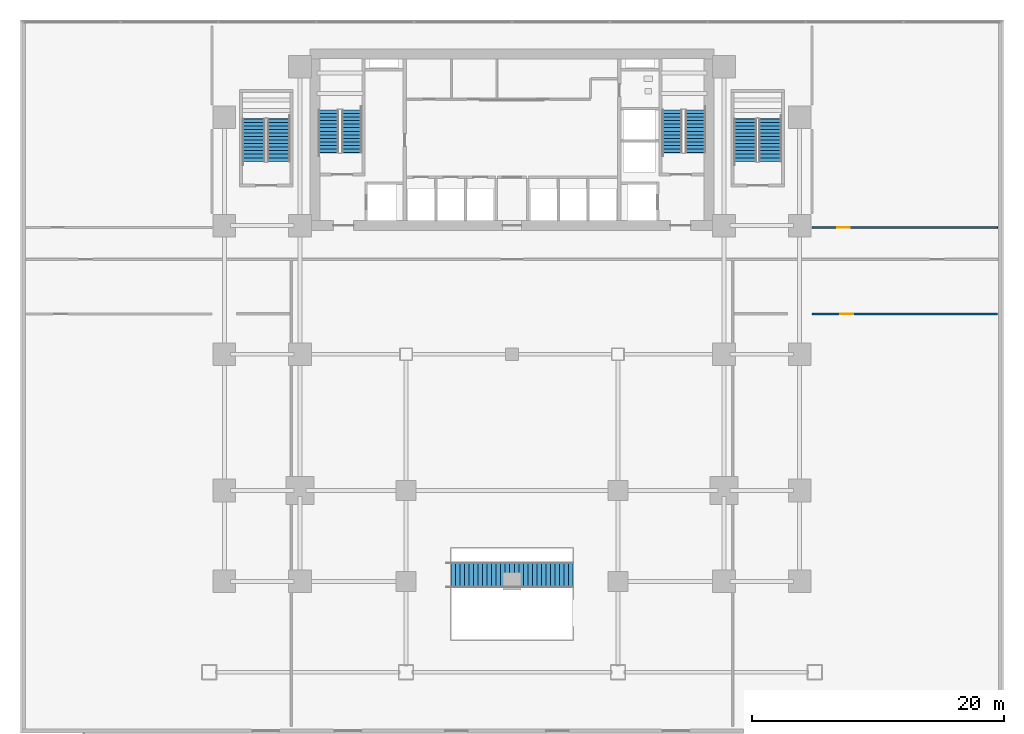
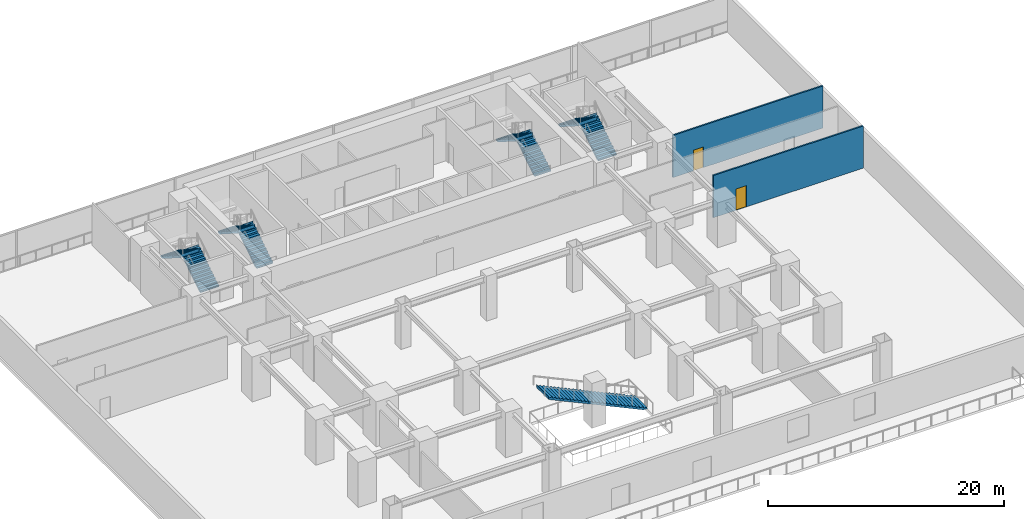
# One storey, part 11 of 17: 9 stair flights, 2 doors, 2 walls, 2 openings, 5 elements without a shape of their own.
"""IFC4 building model written with IfcOpenShell, lengths in metres."""

from ifc_helpers import new_model, si_unit, direction, frame, frame_2d, origin, place, context, subcontext, project, spatial, polyline, rectangle, outline, extrude, source, transform, mapped, material, layer, layer_set, type_object, element, fill, aggregate, save


model = new_model("IFC4")

# Units and contexts
model_context = context("Model", 3, precision=1e-05, world=origin(), true_north=direction((0.0, 1.0)))
body_context = subcontext(model_context, "Body", "Model", "MODEL_VIEW")
ifc_project = project(units=[si_unit("LENGTHUNIT", "METRE"), si_unit("AREAUNIT", "SQUARE_METRE"), si_unit("VOLUMEUNIT", "CUBIC_METRE"), si_unit("PLANEANGLEUNIT", "RADIAN"), si_unit("MASSUNIT", "GRAM", prefix="KILO")], contexts=[model_context])

# Site, building, storey
site_placement = place(None, origin())
site = spatial("IfcSite", under=ifc_project, at=site_placement, CompositionType="ELEMENT")
building_placement = place(site_placement, origin())
building = spatial("IfcBuilding", under=site, at=building_placement, Name="Sumidabori Civic Tower", CompositionType="ELEMENT")
storey_placement = place(building_placement, frame((0.0, 0.0, 5.0)))
storey = spatial("IfcBuildingStorey", under=building, at=storey_placement, Name="L01", CompositionType="ELEMENT", Elevation=5.0)

# Wall, opening, door
ifc_material_1 = material(Name="Gypsum Plasterboard Acoustic Partition")
ifc_layer = layer(ifc_material_1, 0.14990234375, Name="Gypsum Plasterboard Acoustic Partition")
ifc_layer_set = layer_set([ifc_layer], Name="Gypsum Plasterboard Acoustic Partition")
wall_type = type_object("IfcWallType", Name="WL-PART-150", PredefinedType="PARTITIONING", material=ifc_layer_set)
shared_shape_1 = source(origin(), body_context, "Body", "SweptSolid", [
    extrude(rectangle(XDim=14.699951171875, YDim=0.14990234375, at=frame_2d((7.35009765625, 0.0))), origin(), (0.0, 0.0, 1.0), 4.3701171875),
])
wall_1_placement = place(storey_placement, frame((23.800048828125, 10.050048828125, 0.0), z_axis=(0.0, 0.0, 1.0), x_axis=(1.0, 0.0, 0.0)))
wall_1 = element("IfcWall", 1, at=wall_1_placement, inside=storey, type_object=wall_type, Name="Interior Partition WL:L01:CORR-NE", PredefinedType="PARTITIONING", context=body_context, shape_type="MappedRepresentation", body=[
    mapped(shared_shape_1, transform((0.0, 0.0, 0.0), x_axis=(1.0, 0.0, 0.0), y_axis=(0.0, 1.0, 0.0), z_axis=(0.0, 0.0, 1.0), scale=1.0)),
])
opening_1_placement = place(wall_1_placement, frame((2.0, 0.0, 0.0)))
opening_1 = element("IfcOpeningElement", 2, at=opening_1_placement, cuts=wall_1, Name="Opening DR-3", PredefinedType="OPENING", context=body_context, shape_type="SweptSolid", body=[
    extrude(rectangle(XDim=0.97998046875, YDim=2.14990234375, at=frame_2d((0.489990234375, 1.074951171875))), frame((0.0, 0.0869140625, 0.0), z_axis=(0.0, -1.0, 0.0), x_axis=(1.0, 0.0, 0.0)), (0.0, 0.0, 1.0), 0.173828125),
])
ifc_material_2 = material(Name="Japanese Hinoki Timber", Category="wood")
door_type_1 = type_object("IfcDoorType", Name="DR-INT-980", OperationType="NOTDEFINED", PredefinedType="DOOR", material=ifc_material_2)
shared_shape_2 = source(origin(), body_context, "Body", "SweptSolid", [
    extrude(rectangle(XDim=0.97998046875, YDim=2.14990234375, at=frame_2d((0.489990234375, 1.074951171875))), frame((0.0, 0.02490234375, 0.0), z_axis=(0.0, -1.0, 0.0), x_axis=(1.0, 0.0, 0.0)), (0.0, 0.0, 1.0), 0.050048828125),
])
door_1_placement = place(opening_1_placement, origin())
door_1 = element("IfcDoor", 3, at=door_1_placement, inside=storey, type_object=door_type_1, Name="Door DR:L01:PD-NE", OperationType="SINGLE_SWING_RIGHT", OverallHeight=2.14990234375, OverallWidth=0.97998046875, PredefinedType="DOOR", context=body_context, shape_type="MappedRepresentation", body=[
    mapped(shared_shape_2, transform((0.0, 0.0, 0.0), x_axis=(1.0, 0.0, 0.0), y_axis=(0.0, 1.0, 0.0), z_axis=(0.0, 0.0, 1.0), scale=1.0)),
])
fill(opening_1, door_1)

wall_2_placement = place(storey_placement, frame((23.800048828125, 3.199951171875, 0.0), z_axis=(0.0, 0.0, 1.0), x_axis=(1.0, 0.0, 0.0)))
wall_2 = element("IfcWall", 4, at=wall_2_placement, inside=storey, type_object=wall_type, Name="Interior Partition WL:L01:SUB-E2", PredefinedType="PARTITIONING", context=body_context, shape_type="MappedRepresentation", body=[
    mapped(shared_shape_1, transform((0.0, 0.0, 0.0), x_axis=(1.0, 0.0, 0.0), y_axis=(0.0, 1.0, 0.0), z_axis=(0.0, 0.0, 1.0), scale=1.0)),
])
opening_2_placement = place(wall_2_placement, frame((2.199951171875, 0.0, 0.0)))
opening_2 = element("IfcOpeningElement", 5, at=opening_2_placement, cuts=wall_2, Name="Opening DR-4", PredefinedType="OPENING", context=body_context, shape_type="SweptSolid", body=[
    extrude(rectangle(XDim=1.0400390625, YDim=2.199951171875, at=frame_2d((0.52001953125, 1.10009765625))), frame((0.0, 0.0869140625, 0.0), z_axis=(0.0, -1.0, 0.0), x_axis=(1.0, 0.0, 0.0)), (0.0, 0.0, 1.0), 0.173828125),
])
door_type_2 = type_object("IfcDoorType", Name="DR-INT-1040", OperationType="NOTDEFINED", PredefinedType="DOOR", material=ifc_material_2)
shared_shape_3 = source(origin(), body_context, "Body", "SweptSolid", [
    extrude(rectangle(XDim=1.0400390625, YDim=2.199951171875, at=frame_2d((0.52001953125, 1.10009765625))), frame((0.0, 0.02490234375, 0.0), z_axis=(0.0, -1.0, 0.0), x_axis=(1.0, 0.0, 0.0)), (0.0, 0.0, 1.0), 0.050048828125),
])
door_2_placement = place(opening_2_placement, origin())
door_2 = element("IfcDoor", 6, at=door_2_placement, inside=storey, type_object=door_type_2, Name="Door DR:L01:PD-SE", OperationType="SINGLE_SWING_RIGHT", OverallHeight=2.199951171875, OverallWidth=1.0400390625, PredefinedType="DOOR", context=body_context, shape_type="MappedRepresentation", body=[
    mapped(shared_shape_3, transform((0.0, 0.0, 0.0), x_axis=(1.0, 0.0, 0.0), y_axis=(0.0, 1.0, 0.0), z_axis=(0.0, 0.0, 1.0), scale=1.0)),
])
fill(opening_2, door_2)

# Stair, stair flights
ifc_material_3 = material(Name="Concrete C40/50", Category="concrete")
stair_type_1 = type_object("IfcStairType", Name="ST-CORE-1600", PredefinedType="HALF_TURN_STAIR", material=ifc_material_3)
stair_1_placement = place(storey_placement, origin())
stair_1 = element("IfcStair", 7, at=stair_1_placement, inside=storey, type_object=stair_type_1, Name="L01 ST-1", PredefinedType="HALF_TURN_STAIR")
stair_flight_type_1 = type_object("IfcStairFlightType", Name="SF-CORE-1600", PredefinedType="STRAIGHT", material=ifc_material_3)
shared_shape_4 = source(origin(), body_context, "Body", "SweptSolid", [
    extrude(outline(polyline([(-0.02490234375, 0.0), (-0.02490234375, 0.0400390625), (0.0, 0.0400390625), (0.0, 0.178955078125), (0.280029296875, 0.178955078125), (0.280029296875, 0.357666015625), (0.56005859375, 0.357666015625), (0.56005859375, 0.53662109375), (0.840087890625, 0.53662109375), (0.840087890625, 0.71533203125), (1.1201171875, 0.71533203125), (1.1201171875, 0.894287109375), (1.39990234375, 0.894287109375), (1.39990234375, 1.072998046875), (1.679931640625, 1.072998046875), (1.679931640625, 1.251953125), (1.9599609375, 1.251953125), (1.9599609375, 1.4306640625), (2.239990234375, 1.4306640625), (2.239990234375, 1.609619140625), (2.52001953125, 1.609619140625), (2.52001953125, 1.78857421875), (2.800048828125, 1.78857421875), (2.800048828125, 1.96728515625), (3.080078125, 1.96728515625), (3.080078125, 2.146240234375), (3.360107421875, 2.146240234375), (3.360107421875, 2.324951171875), (3.385009765625, 2.324951171875), (3.385009765625, 2.175048828125), (3.360107421875, 1.96826171875), (0.278564453125, 0.0), (-0.02490234375, 0.0)])), frame((0.0, 0.800048828125, 0.0), z_axis=(0.0, -1.0, 0.0), x_axis=(1.0, 0.0, 0.0)), (0.0, 0.0, 1.0), 1.60009765625),
])
stair_flight_1_placement = place(storey_placement, frame((-12.699951171875, 16.0, 0.0), z_axis=(0.0, 0.0, 1.0), x_axis=(0.0, 1.0, 0.0)))
stair_flight_1 = element("IfcStairFlight", 8, at=stair_flight_1_placement, type_object=stair_flight_type_1, Name="ST-1 flight 1", NumberOfRisers=13, NumberOfTreads=12, PredefinedType="STRAIGHT", RiserHeight=0.178846154, TreadLength=0.28, context=body_context, shape_type="MappedRepresentation", body=[
    mapped(shared_shape_4, transform((0.0, 0.0, 0.0), x_axis=(1.0, 0.0, 0.0), y_axis=(0.0, 1.0, 0.0), z_axis=(0.0, 0.0, 1.0), scale=1.0)),
])
stair_flight_2_placement = place(storey_placement, frame((-14.5400390625, 19.360107421875, 2.324951171875), z_axis=(0.0, 0.0, 1.0), x_axis=(0.0, -1.0, 0.0)))
stair_flight_2 = element("IfcStairFlight", 9, at=stair_flight_2_placement, type_object=stair_flight_type_1, Name="ST-1 flight 2", NumberOfRisers=13, NumberOfTreads=12, PredefinedType="STRAIGHT", RiserHeight=0.178846154, TreadLength=0.28, context=body_context, shape_type="MappedRepresentation", body=[
    mapped(shared_shape_4, transform((0.0, 0.0, 0.0), x_axis=(1.0, 0.0, 0.0), y_axis=(0.0, 1.0, 0.0), z_axis=(0.0, 0.0, 1.0), scale=1.0)),
])
aggregate(stair_1, [stair_flight_1, stair_flight_2])

stair_2_placement = place(storey_placement, origin())
stair_2 = element("IfcStair", 10, at=stair_2_placement, inside=storey, type_object=stair_type_1, Name="L01 ST-2", PredefinedType="HALF_TURN_STAIR")
stair_flight_3_placement = place(storey_placement, frame((14.5400390625, 16.0, 0.0), z_axis=(0.0, 0.0, 1.0), x_axis=(0.0, 1.0, 0.0)))
stair_flight_3 = element("IfcStairFlight", 11, at=stair_flight_3_placement, type_object=stair_flight_type_1, Name="ST-2 flight 1", NumberOfRisers=13, NumberOfTreads=12, PredefinedType="STRAIGHT", RiserHeight=0.178846154, TreadLength=0.28, context=body_context, shape_type="MappedRepresentation", body=[
    mapped(shared_shape_4, transform((0.0, 0.0, 0.0), x_axis=(1.0, 0.0, 0.0), y_axis=(0.0, 1.0, 0.0), z_axis=(0.0, 0.0, 1.0), scale=1.0)),
])
stair_flight_4_placement = place(storey_placement, frame((12.699951171875, 19.360107421875, 2.324951171875), z_axis=(0.0, 0.0, 1.0), x_axis=(0.0, -1.0, 0.0)))
stair_flight_4 = element("IfcStairFlight", 12, at=stair_flight_4_placement, type_object=stair_flight_type_1, Name="ST-2 flight 2", NumberOfRisers=13, NumberOfTreads=12, PredefinedType="STRAIGHT", RiserHeight=0.178846154, TreadLength=0.28, context=body_context, shape_type="MappedRepresentation", body=[
    mapped(shared_shape_4, transform((0.0, 0.0, 0.0), x_axis=(1.0, 0.0, 0.0), y_axis=(0.0, 1.0, 0.0), z_axis=(0.0, 0.0, 1.0), scale=1.0)),
])
aggregate(stair_2, [stair_flight_3, stair_flight_4])

stair_type_2 = type_object("IfcStairType", Name="ST-POD-1800", PredefinedType="HALF_TURN_STAIR", material=ifc_material_3)
stair_3_placement = place(storey_placement, origin())
stair_3 = element("IfcStair", 13, at=stair_3_placement, inside=storey, type_object=stair_type_2, Name="L01 ST-3", PredefinedType="HALF_TURN_STAIR")
stair_flight_type_2 = type_object("IfcStairFlightType", Name="SF-POD-1800", PredefinedType="STRAIGHT", material=ifc_material_3)
shared_shape_5 = source(origin(), body_context, "Body", "SweptSolid", [
    extrude(outline(polyline([(-0.02490234375, 0.0), (-0.02490234375, 0.0400390625), (0.0, 0.0400390625), (0.0, 0.178955078125), (0.280029296875, 0.178955078125), (0.280029296875, 0.357666015625), (0.56005859375, 0.357666015625), (0.56005859375, 0.53662109375), (0.840087890625, 0.53662109375), (0.840087890625, 0.71533203125), (1.1201171875, 0.71533203125), (1.1201171875, 0.894287109375), (1.39990234375, 0.894287109375), (1.39990234375, 1.072998046875), (1.679931640625, 1.072998046875), (1.679931640625, 1.251953125), (1.9599609375, 1.251953125), (1.9599609375, 1.4306640625), (2.239990234375, 1.4306640625), (2.239990234375, 1.609619140625), (2.52001953125, 1.609619140625), (2.52001953125, 1.78857421875), (2.800048828125, 1.78857421875), (2.800048828125, 1.96728515625), (3.080078125, 1.96728515625), (3.080078125, 2.146240234375), (3.360107421875, 2.146240234375), (3.360107421875, 2.324951171875), (3.385009765625, 2.324951171875), (3.385009765625, 2.175048828125), (3.360107421875, 1.96826171875), (0.278564453125, 0.0), (-0.02490234375, 0.0)])), frame((0.0, 0.89990234375, 0.0), z_axis=(0.0, -1.0, 0.0), x_axis=(1.0, 0.0, 0.0)), (0.0, 0.0, 1.0), 1.800048828125),
])
stair_flight_5_placement = place(storey_placement, frame((-18.5, 15.300048828125, 0.0), z_axis=(0.0, 0.0, 1.0), x_axis=(0.0, 1.0, 0.0)))
stair_flight_5 = element("IfcStairFlight", 14, at=stair_flight_5_placement, type_object=stair_flight_type_2, Name="ST-3 flight 1", NumberOfRisers=13, NumberOfTreads=12, PredefinedType="STRAIGHT", RiserHeight=0.178846154, TreadLength=0.28, context=body_context, shape_type="MappedRepresentation", body=[
    mapped(shared_shape_5, transform((0.0, 0.0, 0.0), x_axis=(1.0, 0.0, 0.0), y_axis=(0.0, 1.0, 0.0), z_axis=(0.0, 0.0, 1.0), scale=1.0)),
])
stair_flight_6_placement = place(storey_placement, frame((-20.4599609375, 18.659912109375, 2.324951171875), z_axis=(0.0, 0.0, 1.0), x_axis=(0.0, -1.0, 0.0)))
stair_flight_6 = element("IfcStairFlight", 15, at=stair_flight_6_placement, type_object=stair_flight_type_2, Name="ST-3 flight 2", NumberOfRisers=13, NumberOfTreads=12, PredefinedType="STRAIGHT", RiserHeight=0.178846154, TreadLength=0.28, context=body_context, shape_type="MappedRepresentation", body=[
    mapped(shared_shape_5, transform((0.0, 0.0, 0.0), x_axis=(1.0, 0.0, 0.0), y_axis=(0.0, 1.0, 0.0), z_axis=(0.0, 0.0, 1.0), scale=1.0)),
])
aggregate(stair_3, [stair_flight_5, stair_flight_6])

stair_4_placement = place(storey_placement, origin())
stair_4 = element("IfcStair", 16, at=stair_4_placement, inside=storey, type_object=stair_type_2, Name="L01 ST-4", PredefinedType="HALF_TURN_STAIR")
stair_flight_7_placement = place(storey_placement, frame((20.4599609375, 15.300048828125, 0.0), z_axis=(0.0, 0.0, 1.0), x_axis=(0.0, 1.0, 0.0)))
stair_flight_7 = element("IfcStairFlight", 17, at=stair_flight_7_placement, type_object=stair_flight_type_2, Name="ST-4 flight 1", NumberOfRisers=13, NumberOfTreads=12, PredefinedType="STRAIGHT", RiserHeight=0.178846154, TreadLength=0.28, context=body_context, shape_type="MappedRepresentation", body=[
    mapped(shared_shape_5, transform((0.0, 0.0, 0.0), x_axis=(1.0, 0.0, 0.0), y_axis=(0.0, 1.0, 0.0), z_axis=(0.0, 0.0, 1.0), scale=1.0)),
])
stair_flight_8_placement = place(storey_placement, frame((18.5, 18.659912109375, 2.324951171875), z_axis=(0.0, 0.0, 1.0), x_axis=(0.0, -1.0, 0.0)))
stair_flight_8 = element("IfcStairFlight", 18, at=stair_flight_8_placement, type_object=stair_flight_type_2, Name="ST-4 flight 2", NumberOfRisers=13, NumberOfTreads=12, PredefinedType="STRAIGHT", RiserHeight=0.178846154, TreadLength=0.28, context=body_context, shape_type="MappedRepresentation", body=[
    mapped(shared_shape_5, transform((0.0, 0.0, 0.0), x_axis=(1.0, 0.0, 0.0), y_axis=(0.0, 1.0, 0.0), z_axis=(0.0, 0.0, 1.0), scale=1.0)),
])
aggregate(stair_4, [stair_flight_7, stair_flight_8])

# Stair, stair flight
stair_type_3 = type_object("IfcStairType", Name="ST-POD-2000", PredefinedType="STRAIGHT_RUN_STAIR", material=ifc_material_3)
stair_5_placement = place(storey_placement, origin())
stair_5 = element("IfcStair", 19, at=stair_5_placement, inside=storey, type_object=stair_type_3, Name="Feature Stair ST:L01:ATR-2", PredefinedType="STRAIGHT_RUN_STAIR")
stair_flight_type_3 = type_object("IfcStairFlightType", Name="SF-POD-2000", PredefinedType="STRAIGHT", material=ifc_material_3)
shared_shape_6 = source(origin(), body_context, "Body", "SweptSolid", [
    extrude(outline(polyline([(-0.02490234375, 0.0), (-0.02490234375, 0.0400390625), (0.0, 0.0400390625), (0.0, 0.166015625), (0.35693359375, 0.166015625), (0.35693359375, 0.33203125), (0.714111328125, 0.33203125), (0.714111328125, 0.498291015625), (1.071044921875, 0.498291015625), (1.071044921875, 0.664306640625), (1.42822265625, 0.664306640625), (1.42822265625, 0.830322265625), (1.78515625, 0.830322265625), (1.78515625, 0.996337890625), (2.142333984375, 0.996337890625), (2.142333984375, 1.16259765625), (2.499267578125, 1.16259765625), (2.499267578125, 1.32861328125), (2.856201171875, 1.32861328125), (2.856201171875, 1.49462890625), (3.21337890625, 1.49462890625), (3.21337890625, 1.66064453125), (3.5703125, 1.66064453125), (3.5703125, 1.826904296875), (3.927490234375, 1.826904296875), (3.927490234375, 1.992919921875), (4.284423828125, 1.992919921875), (4.284423828125, 2.158935546875), (4.6416015625, 2.158935546875), (4.6416015625, 2.324951171875), (4.99853515625, 2.324951171875), (4.99853515625, 2.490966796875), (5.35546875, 2.490966796875), (5.35546875, 2.6572265625), (5.712646484375, 2.6572265625), (5.712646484375, 2.8232421875), (6.069580078125, 2.8232421875), (6.069580078125, 2.9892578125), (6.4267578125, 2.9892578125), (6.4267578125, 3.1552734375), (6.78369140625, 3.1552734375), (6.78369140625, 3.321533203125), (7.140625, 3.321533203125), (7.140625, 3.487548828125), (7.497802734375, 3.487548828125), (7.497802734375, 3.653564453125), (7.854736328125, 3.653564453125), (7.854736328125, 3.819580078125), (8.2119140625, 3.819580078125), (8.2119140625, 3.985595703125), (8.56884765625, 3.985595703125), (8.56884765625, 4.15185546875), (8.926025390625, 4.15185546875), (8.926025390625, 4.31787109375), (9.282958984375, 4.31787109375), (9.282958984375, 4.48388671875), (9.639892578125, 4.48388671875), (9.639892578125, 4.64990234375), (9.6650390625, 4.64990234375), (9.6650390625, 4.5), (9.639892578125, 4.318603515625), (0.35546875, 0.0), (-0.02490234375, 0.0)])), frame((0.0, 1.0, 0.0), z_axis=(0.0, -1.0, 0.0), x_axis=(1.0, 0.0, 0.0)), (0.0, 0.0, 1.0), 2.0),
])
stair_flight_9_placement = place(storey_placement, frame((4.820068359375, -17.5, 0.0), z_axis=(0.0, 0.0, 1.0), x_axis=(-1.0, 0.0, 0.0)))
stair_flight_9 = element("IfcStairFlight", 20, at=stair_flight_9_placement, type_object=stair_flight_type_3, Name="ST-P1 flight 1", NumberOfRisers=28, NumberOfTreads=27, PredefinedType="STRAIGHT", RiserHeight=0.166071429, TreadLength=0.357037037, context=body_context, shape_type="MappedRepresentation", body=[
    mapped(shared_shape_6, transform((0.0, 0.0, 0.0), x_axis=(1.0, 0.0, 0.0), y_axis=(0.0, 1.0, 0.0), z_axis=(0.0, 0.0, 1.0), scale=1.0)),
])
aggregate(stair_5, [stair_flight_9])

save(model, "model.ifc")
